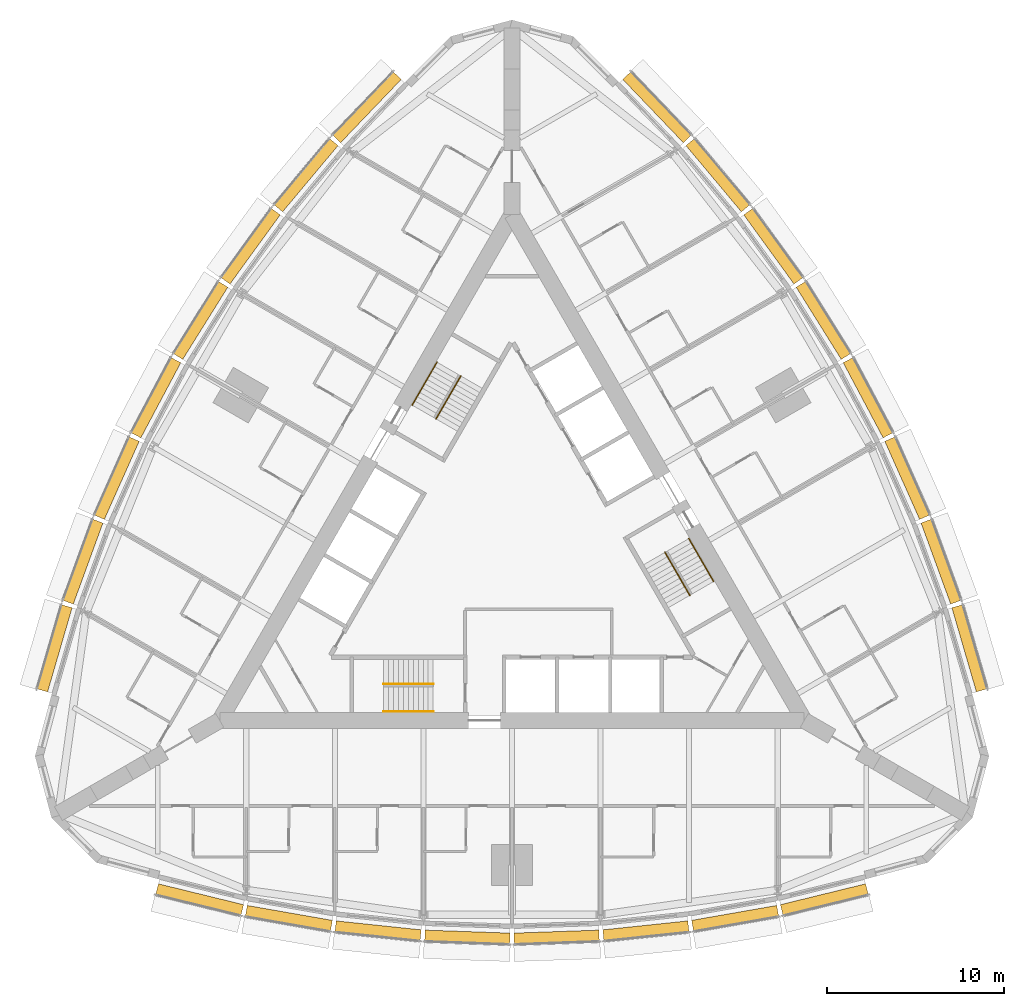
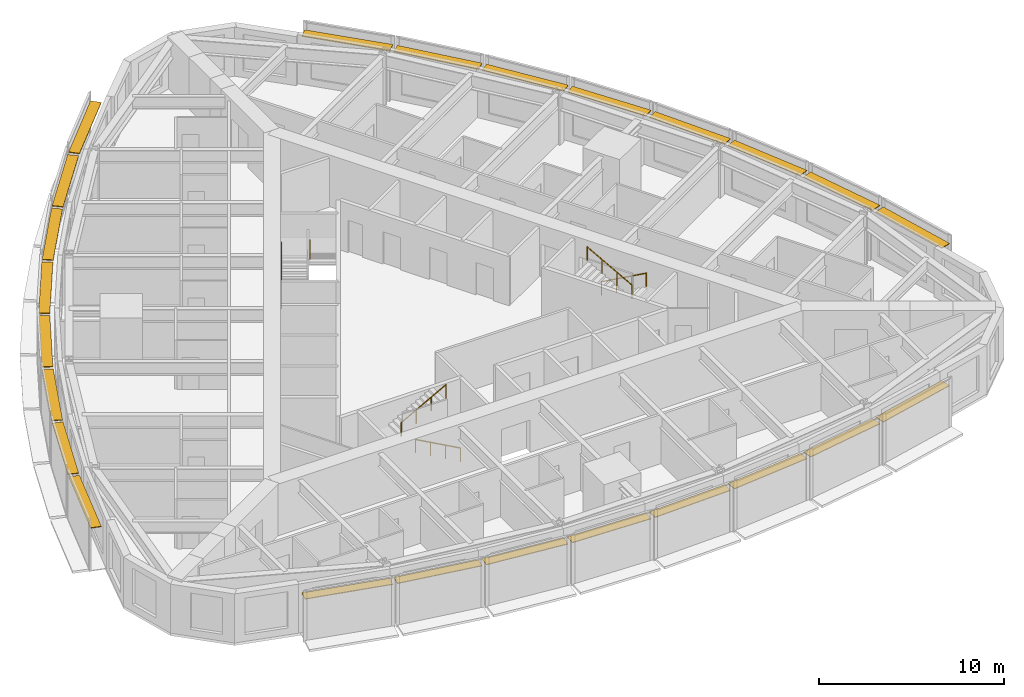
# One storey, part 14 of 14: 24 shading devices, 6 railings.
"""IFC4 building model written with IfcOpenShell, lengths in metres."""

from ifc_helpers import new_model, si_unit, direction, frame, origin, origin_2d, place, context, subcontext, project, spatial, rectangle, circle, extrude, material, type_object, element, save


model = new_model("IFC4")

# Units and contexts
model_context = context("Model", 3, precision=1e-05, world=origin(), true_north=direction((0.0, 1.0)))
body_context = subcontext(model_context, "Body", "Model", "MODEL_VIEW")
ifc_project = project(units=[si_unit("LENGTHUNIT", "METRE"), si_unit("AREAUNIT", "SQUARE_METRE"), si_unit("VOLUMEUNIT", "CUBIC_METRE"), si_unit("PLANEANGLEUNIT", "RADIAN"), si_unit("MASSUNIT", "GRAM", prefix="KILO")], contexts=[model_context])

# Site, building, storey
site_placement = place(None, origin())
site = spatial("IfcSite", under=ifc_project, at=site_placement, CompositionType="ELEMENT")
building_placement = place(site_placement, origin())
building = spatial("IfcBuilding", under=site, at=building_placement, Name="Trikona Tower", CompositionType="ELEMENT")
storey_placement = place(building_placement, frame((0.0, 0.0, 114.699951171875)))
storey = spatial("IfcBuildingStorey", under=building, at=storey_placement, Name="L29", CompositionType="ELEMENT", Elevation=114.699951171875)

# Shading devices
ifc_material_1 = material(Name="Aluminium louvre blade, pale anodised", Category="aluminium")
shading_device_type = type_object("IfcShadingDeviceType", Name="Cavity louvre 600", PredefinedType="USERDEFINED", material=ifc_material_1)
shading_device_1_placement = place(storey_placement, frame((-17.63330078125, -19.631591796875, 2.77490234375), z_axis=(0.0, 0.0, 1.0), x_axis=(0.971274411564, -0.237962218516, 0.0)))
element("IfcShadingDevice", 1, at=shading_device_1_placement, inside=storey, type_object=shading_device_type, Name="Cavity louvre L29-00", ObjectType="LOUVRE", PredefinedType="USERDEFINED", context=body_context, shape_type="SweptSolid", body=[
    extrude(rectangle(XDim=4.947998046875, YDim=0.60009765625, at=origin_2d()), origin(), (0.0, 0.0, 1.0), 0.050048828125),
])
shading_device_2_placement = place(storey_placement, frame((-12.596435546875, -20.689208984375, 2.77490234375), z_axis=(0.0, 0.0, 1.0), x_axis=(0.985030604067, -0.172379549401, 0.0)))
element("IfcShadingDevice", 2, at=shading_device_2_placement, inside=storey, type_object=shading_device_type, Name="Cavity louvre L29-01", ObjectType="LOUVRE", PredefinedType="USERDEFINED", context=body_context, shape_type="SweptSolid", body=[
    extrude(rectangle(XDim=4.8759765625, YDim=0.60009765625, at=origin_2d()), origin(), (0.0, 0.0, 1.0), 0.050048828125),
])
shading_device_3_placement = place(storey_placement, frame((-7.55859375, -21.39453125, 2.77490234375), z_axis=(0.0, 0.0, 1.0), x_axis=(0.994532653854, -0.104426052392, 0.0)))
element("IfcShadingDevice", 3, at=shading_device_3_placement, inside=storey, type_object=shading_device_type, Name="Cavity louvre L29-02", ObjectType="LOUVRE", PredefinedType="USERDEFINED", context=body_context, shape_type="SweptSolid", body=[
    extrude(rectangle(XDim=4.827392578125, YDim=0.60009765625, at=origin_2d()), origin(), (0.0, 0.0, 1.0), 0.050048828125),
])
for number, where, z_axis, x_axis, name in (
    (4, (-2.51953125, -21.747314453125, 2.77490234375), (0.0, 0.0, 1.0), (0.999388082937, -0.034977988567, 0.0), "Cavity louvre L29-03"),
    (5, (2.51953125, -21.747314453125, 2.77490234375), (0.0, 0.0, 1.0), (0.999388082937, 0.034977988567, 0.0), "Cavity louvre L29-04"),
):
    element("IfcShadingDevice", number, at=place(storey_placement, frame(where, z_axis=z_axis, x_axis=x_axis)), inside=storey, type_object=shading_device_type, Name=name, ObjectType="LOUVRE", PredefinedType="USERDEFINED", context=body_context, shape_type="SweptSolid", body=[
        extrude(rectangle(XDim=4.802978515625, YDim=0.60009765625, at=origin_2d()), origin(), (0.0, 0.0, 1.0), 0.050048828125),
    ])
shading_device_4_placement = place(storey_placement, frame((7.55859375, -21.39453125, 2.77490234375), z_axis=(0.0, 0.0, 1.0), x_axis=(0.994532653854, 0.104426052392, 0.0)))
element("IfcShadingDevice", 6, at=shading_device_4_placement, inside=storey, type_object=shading_device_type, Name="Cavity louvre L29-05", ObjectType="LOUVRE", PredefinedType="USERDEFINED", context=body_context, shape_type="SweptSolid", body=[
    extrude(rectangle(XDim=4.827392578125, YDim=0.60009765625, at=origin_2d()), origin(), (0.0, 0.0, 1.0), 0.050048828125),
])
shading_device_5_placement = place(storey_placement, frame((12.596435546875, -20.689208984375, 2.77490234375), z_axis=(0.0, 0.0, 1.0), x_axis=(0.985030604067, 0.172379549401, 0.0)))
element("IfcShadingDevice", 7, at=shading_device_5_placement, inside=storey, type_object=shading_device_type, Name="Cavity louvre L29-06", ObjectType="LOUVRE", PredefinedType="USERDEFINED", context=body_context, shape_type="SweptSolid", body=[
    extrude(rectangle(XDim=4.8759765625, YDim=0.60009765625, at=origin_2d()), origin(), (0.0, 0.0, 1.0), 0.050048828125),
])
shading_device_6_placement = place(storey_placement, frame((17.63330078125, -19.631591796875, 2.77490234375), z_axis=(0.0, 0.0, 1.0), x_axis=(0.971274411564, 0.237962218516, 0.0)))
element("IfcShadingDevice", 8, at=shading_device_6_placement, inside=storey, type_object=shading_device_type, Name="Cavity louvre L29-07", ObjectType="LOUVRE", PredefinedType="USERDEFINED", context=body_context, shape_type="SweptSolid", body=[
    extrude(rectangle(XDim=4.947998046875, YDim=0.60009765625, at=origin_2d()), origin(), (0.0, 0.0, 1.0), 0.050048828125),
])
shading_device_7_placement = place(storey_placement, frame((25.818115234375, -5.455078125, 2.77490234375), z_axis=(0.0, 0.0, 1.0), x_axis=(-0.279554203664, 0.960129911634, 0.0)))
element("IfcShadingDevice", 9, at=shading_device_7_placement, inside=storey, type_object=shading_device_type, Name="Cavity louvre L29-12", ObjectType="LOUVRE", PredefinedType="USERDEFINED", context=body_context, shape_type="SweptSolid", body=[
    extrude(rectangle(XDim=4.94775390625, YDim=0.60009765625, at=origin_2d()), origin(), (0.0, 0.0, 1.0), 0.050048828125),
])
shading_device_8_placement = place(storey_placement, frame((24.2158203125, -0.564208984375, 2.77490234375), z_axis=(0.0, 0.0, 1.0), x_axis=(-0.343220397324, 0.939254895575, 0.0)))
element("IfcShadingDevice", 10, at=shading_device_8_placement, inside=storey, type_object=shading_device_type, Name="Cavity louvre L29-13", ObjectType="LOUVRE", PredefinedType="USERDEFINED", context=body_context, shape_type="SweptSolid", body=[
    extrude(rectangle(XDim=4.8759765625, YDim=0.60009765625, at=origin_2d()), origin(), (0.0, 0.0, 1.0), 0.050048828125),
])
shading_device_9_placement = place(storey_placement, frame((22.3076171875, 4.151611328125, 2.77490234375), z_axis=(0.0, 0.0, 1.0), x_axis=(-0.406843467615, 0.913497888809, 0.0)))
element("IfcShadingDevice", 11, at=shading_device_9_placement, inside=storey, type_object=shading_device_type, Name="Cavity louvre L29-14", ObjectType="LOUVRE", PredefinedType="USERDEFINED", context=body_context, shape_type="SweptSolid", body=[
    extrude(rectangle(XDim=4.827392578125, YDim=0.60009765625, at=origin_2d()), origin(), (0.0, 0.0, 1.0), 0.050048828125),
])
for number, where, z_axis, x_axis, name in (
    (12, (20.093505859375, 8.691650390625, 2.77490234375), (0.0, 0.0, 1.0), (-0.469397591494, 0.882986920118, 0.0), "Cavity louvre L29-15"),
    (13, (17.573974609375, 13.0556640625, 2.77490234375), (0.0, 0.0, 1.0), (-0.529994748414, 0.848000923734, 0.0), "Cavity louvre L29-16"),
):
    element("IfcShadingDevice", number, at=place(storey_placement, frame(where, z_axis=z_axis, x_axis=x_axis)), inside=storey, type_object=shading_device_type, Name=name, ObjectType="LOUVRE", PredefinedType="USERDEFINED", context=body_context, shape_type="SweptSolid", body=[
        extrude(rectangle(XDim=4.802978515625, YDim=0.60009765625, at=origin_2d()), origin(), (0.0, 0.0, 1.0), 0.050048828125),
    ])
shading_device_10_placement = place(storey_placement, frame((14.7490234375, 17.2431640625, 2.77490234375), z_axis=(0.0, 0.0, 1.0), x_axis=(-0.587686407834, 0.809088799853, 0.0)))
element("IfcShadingDevice", 14, at=shading_device_10_placement, inside=storey, type_object=shading_device_type, Name="Cavity louvre L29-17", ObjectType="LOUVRE", PredefinedType="USERDEFINED", context=body_context, shape_type="SweptSolid", body=[
    extrude(rectangle(XDim=4.827392578125, YDim=0.60009765625, at=origin_2d()), origin(), (0.0, 0.0, 1.0), 0.050048828125),
])
shading_device_11_placement = place(storey_placement, frame((11.619140625, 21.253662109375, 2.77490234375), z_axis=(0.0, 0.0, 1.0), x_axis=(-0.641807063101, 0.766866151133, 0.0)))
element("IfcShadingDevice", 15, at=shading_device_11_placement, inside=storey, type_object=shading_device_type, Name="Cavity louvre L29-18", ObjectType="LOUVRE", PredefinedType="USERDEFINED", context=body_context, shape_type="SweptSolid", body=[
    extrude(rectangle(XDim=4.8759765625, YDim=0.60009765625, at=origin_2d()), origin(), (0.0, 0.0, 1.0), 0.050048828125),
])
for number, where, z_axis, x_axis, name in (
    (16, (8.184814453125, 25.086669921875, 2.77490234375), (0.0, 0.0, 1.0), (-0.691723573819, 0.722162376078, 0.0), "Cavity louvre L29-19"),
    (17, (-8.184814453125, 25.086669921875, 2.77490234375), (0.0, 0.0, 1.0), (-0.691723573819, -0.722162376078, 0.0), "Cavity louvre L29-24"),
):
    element("IfcShadingDevice", number, at=place(storey_placement, frame(where, z_axis=z_axis, x_axis=x_axis)), inside=storey, type_object=shading_device_type, Name=name, ObjectType="LOUVRE", PredefinedType="USERDEFINED", context=body_context, shape_type="SweptSolid", body=[
        extrude(rectangle(XDim=4.947998046875, YDim=0.60009765625, at=origin_2d()), origin(), (0.0, 0.0, 1.0), 0.050048828125),
    ])
shading_device_12_placement = place(storey_placement, frame((-11.619140625, 21.253662109375, 2.77490234375), z_axis=(0.0, 0.0, 1.0), x_axis=(-0.641807063101, -0.766866151133, 0.0)))
element("IfcShadingDevice", 18, at=shading_device_12_placement, inside=storey, type_object=shading_device_type, Name="Cavity louvre L29-25", ObjectType="LOUVRE", PredefinedType="USERDEFINED", context=body_context, shape_type="SweptSolid", body=[
    extrude(rectangle(XDim=4.8759765625, YDim=0.60009765625, at=origin_2d()), origin(), (0.0, 0.0, 1.0), 0.050048828125),
])
shading_device_13_placement = place(storey_placement, frame((-14.7490234375, 17.2431640625, 2.77490234375), z_axis=(0.0, 0.0, 1.0), x_axis=(-0.587686407834, -0.809088799853, 0.0)))
element("IfcShadingDevice", 19, at=shading_device_13_placement, inside=storey, type_object=shading_device_type, Name="Cavity louvre L29-26", ObjectType="LOUVRE", PredefinedType="USERDEFINED", context=body_context, shape_type="SweptSolid", body=[
    extrude(rectangle(XDim=4.827392578125, YDim=0.60009765625, at=origin_2d()), origin(), (0.0, 0.0, 1.0), 0.050048828125),
])
for number, where, z_axis, x_axis, name in (
    (20, (-17.573974609375, 13.0556640625, 2.77490234375), (0.0, 0.0, 1.0), (-0.529994748414, -0.848000923734, 0.0), "Cavity louvre L29-27"),
    (21, (-20.093505859375, 8.691650390625, 2.77490234375), (0.0, 0.0, 1.0), (-0.469397591494, -0.882986920118, 0.0), "Cavity louvre L29-28"),
):
    element("IfcShadingDevice", number, at=place(storey_placement, frame(where, z_axis=z_axis, x_axis=x_axis)), inside=storey, type_object=shading_device_type, Name=name, ObjectType="LOUVRE", PredefinedType="USERDEFINED", context=body_context, shape_type="SweptSolid", body=[
        extrude(rectangle(XDim=4.802978515625, YDim=0.60009765625, at=origin_2d()), origin(), (0.0, 0.0, 1.0), 0.050048828125),
    ])
shading_device_14_placement = place(storey_placement, frame((-22.3076171875, 4.151611328125, 2.77490234375), z_axis=(0.0, 0.0, 1.0), x_axis=(-0.406843467615, -0.913497888809, 0.0)))
element("IfcShadingDevice", 22, at=shading_device_14_placement, inside=storey, type_object=shading_device_type, Name="Cavity louvre L29-29", ObjectType="LOUVRE", PredefinedType="USERDEFINED", context=body_context, shape_type="SweptSolid", body=[
    extrude(rectangle(XDim=4.827392578125, YDim=0.60009765625, at=origin_2d()), origin(), (0.0, 0.0, 1.0), 0.050048828125),
])
shading_device_15_placement = place(storey_placement, frame((-24.2158203125, -0.564208984375, 2.77490234375), z_axis=(0.0, 0.0, 1.0), x_axis=(-0.343220397324, -0.939254895575, 0.0)))
element("IfcShadingDevice", 23, at=shading_device_15_placement, inside=storey, type_object=shading_device_type, Name="Cavity louvre L29-30", ObjectType="LOUVRE", PredefinedType="USERDEFINED", context=body_context, shape_type="SweptSolid", body=[
    extrude(rectangle(XDim=4.8759765625, YDim=0.60009765625, at=origin_2d()), origin(), (0.0, 0.0, 1.0), 0.050048828125),
])
shading_device_16_placement = place(storey_placement, frame((-25.818115234375, -5.455078125, 2.77490234375), z_axis=(0.0, 0.0, 1.0), x_axis=(-0.279554203664, -0.960129911634, 0.0)))
element("IfcShadingDevice", 24, at=shading_device_16_placement, inside=storey, type_object=shading_device_type, Name="Cavity louvre L29-31", ObjectType="LOUVRE", PredefinedType="USERDEFINED", context=body_context, shape_type="SweptSolid", body=[
    extrude(rectangle(XDim=4.94775390625, YDim=0.60009765625, at=origin_2d()), origin(), (0.0, 0.0, 1.0), 0.050048828125),
])

# Railings
ifc_material_2 = material(Name="Stainless steel handrail", Category="steel")
railing_type = type_object("IfcRailingType", Name="Stair handrail", PredefinedType="HANDRAIL", material=ifc_material_2)
railing_1_placement = place(storey_placement, frame((-4.449951171875, -9.016357421875, 0.154541015625)))
element("IfcRailing", 25, at=railing_1_placement, inside=storey, type_object=railing_type, Name="Stair handrail A L29 1", PredefinedType="HANDRAIL", context=body_context, shape_type="SweptSolid", body=[
    extrude(circle(Radius=0.02392578125, at=origin_2d()), frame((0.0, 0.0, 0.8759765625), z_axis=(-0.875504190374, 0.0, 0.483210526207), x_axis=(0.0, -1.0, 0.0)), (0.0, 0.0, 1.0), 3.1982421875),
    extrude(circle(Radius=0.02099609375, at=origin_2d()), origin(), (0.0, 0.0, 1.0), 0.851806640625),
    extrude(circle(Radius=0.02099609375, at=origin_2d()), frame((-0.933349609375, 0.0, 0.51513671875)), (0.0, 0.0, 1.0), 0.851806640625),
    extrude(circle(Radius=0.02099609375, at=origin_2d()), frame((-1.86669921875, 0.0, 1.0302734375)), (0.0, 0.0, 1.0), 0.851806640625),
    extrude(circle(Radius=0.02099609375, at=origin_2d()), frame((-2.800048828125, 0.0, 1.54541015625)), (0.0, 0.0, 1.0), 0.851806640625),
])
railing_2_placement = place(storey_placement, frame((-7.25, -7.46630859375, 1.8544921875)))
element("IfcRailing", 26, at=railing_2_placement, inside=storey, type_object=railing_type, Name="Stair handrail A L29 2", PredefinedType="HANDRAIL", context=body_context, shape_type="SweptSolid", body=[
    extrude(circle(Radius=0.02392578125, at=origin_2d()), frame((0.0, 0.0, 0.8759765625), z_axis=(0.875471895205, 0.0, 0.483269035534), x_axis=(0.0, 1.0, 0.0)), (0.0, 0.0, 1.0), 3.1982421875),
    extrude(circle(Radius=0.02099609375, at=origin_2d()), origin(), (0.0, 0.0, 1.0), 0.851806640625),
    extrude(circle(Radius=0.02099609375, at=origin_2d()), frame((0.933349609375, 0.0, 0.51513671875)), (0.0, 0.0, 1.0), 0.851806640625),
    extrude(circle(Radius=0.02099609375, at=origin_2d()), frame((1.86669921875, 0.0, 1.030517578125)), (0.0, 0.0, 1.0), 0.851806640625),
    extrude(circle(Radius=0.02099609375, at=origin_2d()), frame((2.800048828125, 0.0, 1.545654296875)), (0.0, 0.0, 1.0), 0.851806640625),
])
railing_3_placement = place(storey_placement, frame((9.9833984375, 0.740966796875, 0.154541015625)))
element("IfcRailing", 27, at=railing_3_placement, inside=storey, type_object=railing_type, Name="Stair handrail B L29 1", PredefinedType="HANDRAIL", context=body_context, shape_type="SweptSolid", body=[
    extrude(circle(Radius=0.02392578125, at=origin_2d()), frame((0.0, 0.0, 0.8759765625), z_axis=(0.437707188162, -0.758239536103, 0.483203087036), x_axis=(0.866056369097, 0.49994636267, 0.0)), (0.0, 0.0, 1.0), 3.1982421875),
    extrude(circle(Radius=0.02099609375, at=origin_2d()), origin(), (0.0, 0.0, 1.0), 0.851806640625),
    extrude(circle(Radius=0.02099609375, at=origin_2d()), frame((0.466552734375, -0.808349609375, 0.51513671875)), (0.0, 0.0, 1.0), 0.851806640625),
    extrude(circle(Radius=0.02099609375, at=origin_2d()), frame((0.933349609375, -1.61669921875, 1.0302734375)), (0.0, 0.0, 1.0), 0.851806640625),
    extrude(circle(Radius=0.02099609375, at=origin_2d()), frame((1.39990234375, -2.425048828125, 1.54541015625)), (0.0, 0.0, 1.0), 0.851806640625),
])
railing_4_placement = place(storey_placement, frame((10.041015625, -2.458984375, 1.8544921875)))
element("IfcRailing", 28, at=railing_4_placement, inside=storey, type_object=railing_type, Name="Stair handrail B L29 2", PredefinedType="HANDRAIL", context=body_context, shape_type="SweptSolid", body=[
    extrude(circle(Radius=0.02392578125, at=origin_2d()), frame((0.0, 0.0, 0.8759765625), z_axis=(-0.437691042731, 0.758211567396, 0.483261596012), x_axis=(-0.866056369097, -0.49994636267, 0.0)), (0.0, 0.0, 1.0), 3.198486328125),
    extrude(circle(Radius=0.02099609375, at=origin_2d()), origin(), (0.0, 0.0, 1.0), 0.851806640625),
    extrude(circle(Radius=0.02099609375, at=origin_2d()), frame((-0.466552734375, 0.808349609375, 0.51513671875)), (0.0, 0.0, 1.0), 0.851806640625),
    extrude(circle(Radius=0.02099609375, at=origin_2d()), frame((-0.933349609375, 1.61669921875, 1.030517578125)), (0.0, 0.0, 1.0), 0.851806640625),
    extrude(circle(Radius=0.02099609375, at=origin_2d()), frame((-1.39990234375, 2.425048828125, 1.545654296875)), (0.0, 0.0, 1.0), 0.851806640625),
])
railing_5_placement = place(storey_placement, frame((-5.63330078125, 8.275390625, 0.154541015625)))
element("IfcRailing", 29, at=railing_5_placement, inside=storey, type_object=railing_type, Name="Stair handrail C L29 1", PredefinedType="HANDRAIL", context=body_context, shape_type="SweptSolid", body=[
    extrude(circle(Radius=0.02392578125, at=origin_2d()), frame((0.0, 0.0, 0.8759765625), z_axis=(0.437732523806, 0.758207085183, 0.483231056102), x_axis=(-0.866034573852, 0.49998411664, 0.0)), (0.0, 0.0, 1.0), 3.197998046875),
    extrude(circle(Radius=0.02099609375, at=origin_2d()), origin(), (0.0, 0.0, 1.0), 0.851806640625),
    extrude(circle(Radius=0.02099609375, at=origin_2d()), frame((0.466552734375, 0.808349609375, 0.51513671875)), (0.0, 0.0, 1.0), 0.851806640625),
    extrude(circle(Radius=0.02099609375, at=origin_2d()), frame((0.933349609375, 1.616455078125, 1.0302734375)), (0.0, 0.0, 1.0), 0.851806640625),
    extrude(circle(Radius=0.02099609375, at=origin_2d()), frame((1.39990234375, 2.4248046875, 1.54541015625)), (0.0, 0.0, 1.0), 0.851806640625),
])
railing_6_placement = place(storey_placement, frame((-2.89111328125, 9.92529296875, 1.8544921875)))
element("IfcRailing", 30, at=railing_6_placement, inside=storey, type_object=railing_type, Name="Stair handrail C L29 2", PredefinedType="HANDRAIL", context=body_context, shape_type="SweptSolid", body=[
    extrude(circle(Radius=0.02392578125, at=origin_2d()), frame((0.0, 0.0, 0.8759765625), z_axis=(-0.437691042731, -0.758211567396, 0.483261596012), x_axis=(0.866056369097, -0.49994636267, 0.0)), (0.0, 0.0, 1.0), 3.198486328125),
    extrude(circle(Radius=0.02099609375, at=origin_2d()), origin(), (0.0, 0.0, 1.0), 0.851806640625),
    extrude(circle(Radius=0.02099609375, at=origin_2d()), frame((-0.466552734375, -0.808349609375, 0.51513671875)), (0.0, 0.0, 1.0), 0.851806640625),
    extrude(circle(Radius=0.02099609375, at=origin_2d()), frame((-0.933349609375, -1.61669921875, 1.030517578125)), (0.0, 0.0, 1.0), 0.851806640625),
    extrude(circle(Radius=0.02099609375, at=origin_2d()), frame((-1.39990234375, -2.425048828125, 1.545654296875)), (0.0, 0.0, 1.0), 0.851806640625),
])

save(model, "model.ifc")
